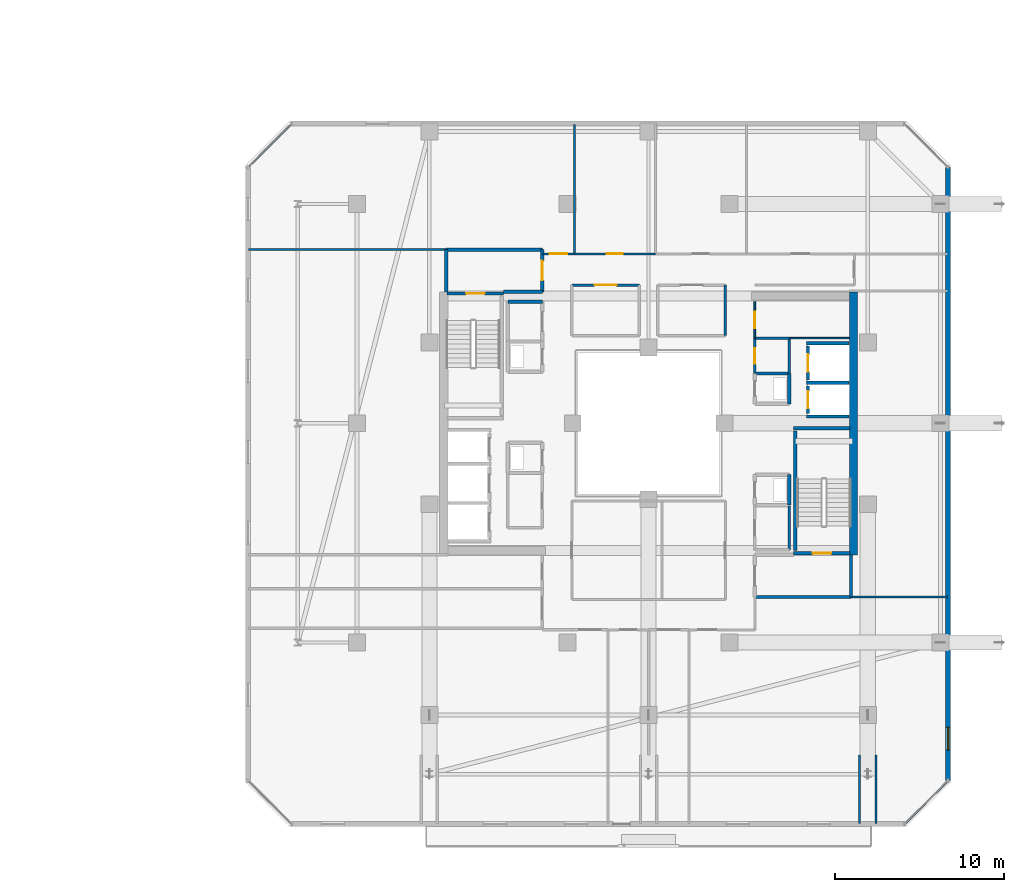
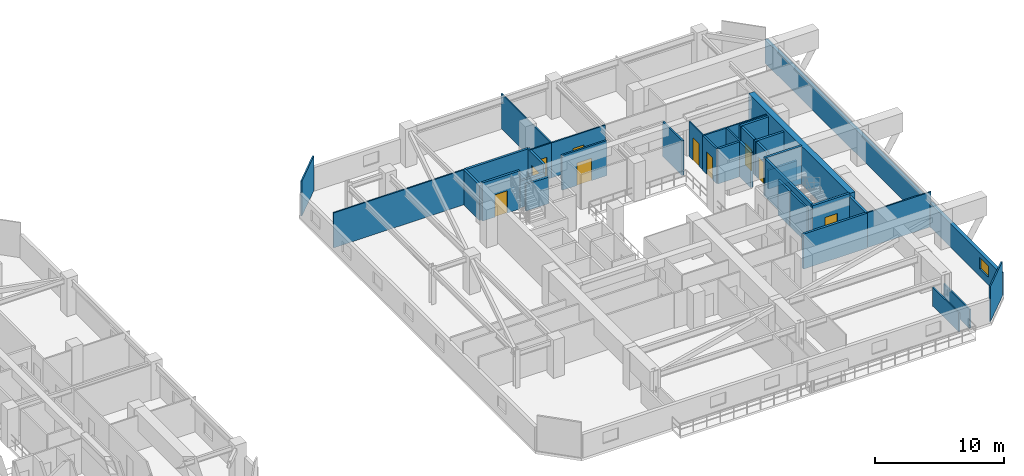
# One storey, part 27 of 35: 38 walls, 10 doors, 1 window, 11 openings.
"""IFC4 building model written with IfcOpenShell, lengths in metres."""

import ifcopenshell
import ifcopenshell.guid

model = None  # the IFC model being written
_history = None  # IfcOwnerHistory: only IFC2X3 demands one
_inside = {}  # id of a spatial element -> (the spatial element, [elements in it])
_under = {}  # id of a project, library or spatial element -> (it, [spatial elements below it])
_declared = {}  # id of a project -> (the project, [libraries it declares])
_typed = {}  # id of a type object -> (the type object, [elements of that type])
_made_of = {}  # id of a material, layer set ... -> (it, [elements and type objects made of it])


def new_model(schema):
    """Start an empty IFC model of exactly this schema.

    Asked for "IFC4X3", IfcOpenShell would pick the latest addendum, in which some entities
    have other attributes; the version numbers below select the first issue.
    IFC2X3 requires an IfcOwnerHistory on every rooted entity: one is made here for all.
    """
    global model, _history
    if schema == "IFC4X3":
        model = ifcopenshell.file(schema_version=(4, 3, 0, 0))
    else:
        model = ifcopenshell.file(schema=schema)
    _inside.clear()
    _under.clear()
    _declared.clear()
    _typed.clear()
    _made_of.clear()
    _history = None
    if model.schema == "IFC2X3":
        org = make("IfcOrganization", Name="unknown")
        user = make(
            "IfcPersonAndOrganization",
            ThePerson=make("IfcPerson", FamilyName="unknown"),
            TheOrganization=org,
        )
        app = make(
            "IfcApplication",
            ApplicationDeveloper=org,
            Version="unknown",
            ApplicationFullName="unknown",
            ApplicationIdentifier="unknown",
        )
        _history = make(
            "IfcOwnerHistory",
            OwningUser=user,
            OwningApplication=app,
            ChangeAction="ADDED",
            CreationDate=0,
        )
    return model


def make(cls, **values):
    """One entity of the class cls with the attributes given. An attribute that is None is left unset."""
    return model.create_entity(
        cls, **{name: value for name, value in values.items() if value is not None}
    )


def rooted(cls, **values):
    """An entity with a GlobalId (a new one), such as an element, a storey or a relation."""
    return make(cls, GlobalId=ifcopenshell.guid.new(), OwnerHistory=_history, **values)


def si_unit(unit_type, name, prefix=None):
    """IfcSIUnit, for example si_unit("LENGTHUNIT", "METRE", prefix="MILLI")."""
    return make("IfcSIUnit", UnitType=unit_type, Prefix=prefix, Name=name)


def assignment(units):
    """IfcUnitAssignment: the units of a project."""
    return None if units is None else make("IfcUnitAssignment", Units=units)


def point(xyz):
    """IfcCartesianPoint."""
    return None if xyz is None else make("IfcCartesianPoint", Coordinates=xyz)


def direction(xyz):
    """IfcDirection."""
    return None if xyz is None else make("IfcDirection", DirectionRatios=xyz)


def frame(location, z_axis=None, x_axis=None):
    """IfcAxis2Placement3D, a coordinate frame: its origin and axes. An axis left out is left unset."""
    return make(
        "IfcAxis2Placement3D",
        Location=point(location),
        Axis=direction(z_axis),
        RefDirection=direction(x_axis),
    )


def frame_2d(location, x_axis=None):
    """IfcAxis2Placement2D, a coordinate frame in the plane: its origin and x axis."""
    return make(
        "IfcAxis2Placement2D", Location=point(location), RefDirection=direction(x_axis)
    )


def origin():
    """The frame at (0, 0, 0) with its axes left unset."""
    return frame((0.0, 0.0, 0.0))


def place(relative_to, where):
    """IfcLocalPlacement: puts the frame where relative to a parent placement (None: the world)."""
    return make(
        "IfcLocalPlacement", PlacementRelTo=relative_to, RelativePlacement=where
    )


def context(
    kind, dimensions, precision=None, world=None, true_north=None, identifier=None
):
    """IfcGeometricRepresentationContext, for example the 3D "Model" context."""
    return make(
        "IfcGeometricRepresentationContext",
        ContextIdentifier=identifier,
        ContextType=kind,
        CoordinateSpaceDimension=dimensions,
        Precision=precision,
        WorldCoordinateSystem=world,
        TrueNorth=true_north,
    )


def subcontext(parent, identifier, kind, view, scale=None):
    """IfcGeometricRepresentationSubContext, for example "Body" below "Model"."""
    return make(
        "IfcGeometricRepresentationSubContext",
        ContextIdentifier=identifier,
        ContextType=kind,
        ParentContext=parent,
        TargetScale=scale,
        TargetView=view,
    )


def project(units=None, contexts=None):
    """IfcProject with its units and contexts."""
    return rooted(
        "IfcProject",
        Name="project",
        RepresentationContexts=contexts,
        UnitsInContext=assignment(units),
    )


def spatial(cls, under=None, at=None, **own):
    """A site, building, storey or space (cls), placed at a placement, below another one or the project."""
    s = rooted(cls, ObjectPlacement=at, **own)
    if under is not None:
        _under.setdefault(under.id(), (under, []))[1].append(s)
    return s


def profile(cls, at=None, kind="AREA", **sizes):
    """A parametric profile (cls). Its sizes go by their IFC names, for example OverallWidth=200.0."""
    return make(cls, ProfileType=kind, Position=at, **sizes)


def rectangle(**sizes):
    """IfcRectangleProfileDef."""
    return profile("IfcRectangleProfileDef", **sizes)


def extrude(swept, where, along, depth):
    """IfcExtrudedAreaSolid: the profile swept, set in the frame where, extruded along a direction by depth."""
    return make(
        "IfcExtrudedAreaSolid",
        SweptArea=swept,
        Position=where,
        ExtrudedDirection=direction(along),
        Depth=depth,
    )


def shape(context_of_items, identifier, shape_type, items):
    """IfcShapeRepresentation: the items that make up one representation, for example the "Body"."""
    return make(
        "IfcShapeRepresentation",
        ContextOfItems=context_of_items,
        RepresentationIdentifier=identifier,
        RepresentationType=shape_type,
        Items=items,
    )


def material(Name=None, Category=None):
    """IfcMaterial."""
    return make("IfcMaterial", Name=Name, Category=Category)


def layer(
    of_material, thickness, ventilated=None, Name=None, Category=None, Priority=None
):
    """IfcMaterialLayer: one layer of a wall or slab, of a material (None: an air gap)."""
    return make(
        "IfcMaterialLayer",
        Material=of_material,
        LayerThickness=thickness,
        IsVentilated=ventilated,
        Name=Name,
        Category=Category,
        Priority=Priority,
    )


def layer_set(layers, Name=None):
    """IfcMaterialLayerSet."""
    return make("IfcMaterialLayerSet", MaterialLayers=layers, LayerSetName=Name)


def made_of(thing, what):
    """Note that an element or type object is made of a material, layer set ...; save() writes the relation."""
    if what is not None:
        _made_of.setdefault(what.id(), (what, []))[1].append(thing)
    return thing


def type_object(cls, material=None, **own):
    """A type object (cls), such as IfcWallType, which elements share."""
    return made_of(rooted(cls, **own), material)


def element(
    cls,
    number,
    at=None,
    inside=None,
    cuts=None,
    type_object=None,
    material=None,
    context=None,
    identifier="Body",
    shape_type=None,
    held_by="IfcProductDefinitionShape",
    body=None,
    shapes=None,
    **own,
):
    """One element of the class cls, such as IfcWall. Its Tag is "e" and its number.

    at: its placement. inside: the storey or other place that contains it. cuts: it is an
    opening in that element (IfcRelVoidsElement). A single representation is given by context,
    identifier, shape_type and body (its items); several are given by shapes. held_by: the class
    of the entity that holds the representations. save() writes the other relations.
    """
    e = rooted(cls, Tag="e%d" % number, ObjectPlacement=at, **own)
    if body is not None:
        shapes = [shape(context, identifier, shape_type, body)]
    if shapes is not None:
        e.Representation = make(held_by, Representations=shapes)
    if inside is not None:
        _inside.setdefault(inside.id(), (inside, []))[1].append(e)
    if cuts is not None:
        rooted(
            "IfcRelVoidsElement", RelatingBuildingElement=cuts, RelatedOpeningElement=e
        )
    if type_object is not None:
        _typed.setdefault(type_object.id(), (type_object, []))[1].append(e)
    return made_of(e, material)


def fill(opening, filler):
    """IfcRelFillsElement: the door or window that sits in an opening."""
    return rooted(
        "IfcRelFillsElement",
        RelatingOpeningElement=opening,
        RelatedBuildingElement=filler,
    )


def aggregate(whole, parts):
    """IfcRelAggregates: a whole, such as a stair, and the parts it consists of."""
    return rooted("IfcRelAggregates", RelatingObject=whole, RelatedObjects=parts)


def save(model, path):
    """Write the relations noted so far, then the file.

    IfcRelAggregates (storeys below a building ...), IfcRelContainedInSpatialStructure (elements
    in a storey), IfcRelDefinesByType, IfcRelAssociatesMaterial and IfcRelDeclares: one each for
    every whole, place, type object, material and project.
    """
    for whole, parts in _under.values():
        aggregate(whole, parts)
    for where, things in _inside.values():
        rooted(
            "IfcRelContainedInSpatialStructure",
            RelatedElements=things,
            RelatingStructure=where,
        )
    for kind, things in _typed.values():
        rooted("IfcRelDefinesByType", RelatedObjects=things, RelatingType=kind)
    for what, things in _made_of.values():
        rooted("IfcRelAssociatesMaterial", RelatedObjects=things, RelatingMaterial=what)
    for by, libraries in _declared.values():
        rooted("IfcRelDeclares", RelatingContext=by, RelatedDefinitions=libraries)
    model.write(path)


model = new_model("IFC4")

# Units and contexts
model_context = context("Model", 3, precision=1e-05, world=origin(), true_north=direction((0.0, 1.0)))
body_context = subcontext(model_context, "Body", "Model", "MODEL_VIEW")
ifc_project = project(units=[si_unit("LENGTHUNIT", "METRE"), si_unit("AREAUNIT", "SQUARE_METRE"), si_unit("VOLUMEUNIT", "CUBIC_METRE"), si_unit("PLANEANGLEUNIT", "RADIAN"), si_unit("MASSUNIT", "GRAM", prefix="KILO")], contexts=[model_context])

# Site, building, storey
site_placement = place(None, origin())
site = spatial("IfcSite", under=ifc_project, at=site_placement, CompositionType="ELEMENT")
building_placement = place(site_placement, origin())
building = spatial("IfcBuilding", under=site, at=building_placement, Name="Thornwick Lancets Civic Towers", CompositionType="ELEMENT")
storey_placement = place(building_placement, frame((0.0, 0.0, 225.89990234375)))
storey = spatial("IfcBuildingStorey", under=building, at=storey_placement, Name="L60", CompositionType="ELEMENT", Elevation=225.89990234375)

# Wall, opening, door
ifc_material_1 = material(Name="Concrete blockwork C40/50", Category="masonry")
ifc_layer_1 = layer(ifc_material_1, 0.199951171875, Name="Concrete blockwork C40/50")
ifc_layer_set_1 = layer_set([ifc_layer_1], Name="Concrete blockwork C40/50")
wall_type_1 = type_object("IfcWallType", Name="WALL_COMP_200", PredefinedType="STANDARD", material=ifc_layer_set_1)
wall_1_placement = place(storey_placement, frame((97.949951171875, 29.219970703125, 0.0), z_axis=(0.0, 0.0, 1.0), x_axis=(0.0, -1.0, 0.0)))
wall_1 = element("IfcWall", 1, at=wall_1_placement, inside=storey, type_object=wall_type_1, Name="L60 Hoistway Front Wall FL-B1", PredefinedType="STANDARD", context=body_context, shape_type="SweptSolid", body=[
    extrude(rectangle(XDim=1.639892578125, YDim=0.199951171875, at=frame_2d((0.81982421875, 0.0))), origin(), (0.0, 0.0, 1.0), 3.300048828125),
])
opening_1_placement = place(wall_1_placement, frame((0.31005859375, 0.0, 0.0)))
opening_1 = element("IfcOpeningElement", 2, at=opening_1_placement, cuts=wall_1, Name="Opening LD-FL-B1", PredefinedType="OPENING", context=body_context, shape_type="SweptSolid", body=[
    extrude(rectangle(XDim=1.02001953125, YDim=2.06005859375, at=frame_2d((0.510009765625, 1.030029296875))), frame((0.0, 0.10986328125, 0.0), z_axis=(0.0, -1.0, 0.0), x_axis=(1.0, 0.0, 0.0)), (0.0, 0.0, 1.0), 0.219970703125),
])
ifc_material_2 = material(Name="Brushed bronze stainless steel", Category="steel")
door_type_1 = type_object("IfcDoorType", Name="DOOR_LIFT_SLIDE", OperationType="SLIDING_TO_LEFT", PredefinedType="DOOR", material=ifc_material_2)
door_1_placement = place(opening_1_placement, origin())
door_1 = element("IfcDoor", 3, at=door_1_placement, inside=storey, type_object=door_type_1, Name="L60 Sliding Lift Landing Door LD-FL-B1", OperationType="SLIDING_TO_LEFT", OverallHeight=2.06005859375, OverallWidth=1.02001953125, PredefinedType="DOOR", context=body_context, shape_type="SweptSolid", body=[
    extrude(rectangle(XDim=1.02001953125, YDim=2.06005859375, at=frame_2d((0.510009765625, 1.030029296875))), frame((0.0, 0.02490234375, 0.0), z_axis=(0.0, -1.0, 0.0), x_axis=(1.0, 0.0, 0.0)), (0.0, 0.0, 1.0), 0.050048828125),
])
fill(opening_1, door_1)

wall_2_placement = place(storey_placement, frame((97.949951171875, 31.570068359375, 0.0), z_axis=(0.0, 0.0, 1.0), x_axis=(0.0, -1.0, 0.0)))
wall_2 = element("IfcWall", 4, at=wall_2_placement, inside=storey, type_object=wall_type_1, Name="L60 Hoistway Front Wall PL-BH1", PredefinedType="STANDARD", context=body_context, shape_type="SweptSolid", body=[
    extrude(rectangle(XDim=1.989990234375, YDim=0.199951171875, at=frame_2d((0.9951171875, 0.0))), origin(), (0.0, 0.0, 1.0), 3.300048828125),
])
opening_2_placement = place(wall_2_placement, frame((0.485107421875, 0.0, 0.0)))
opening_2 = element("IfcOpeningElement", 5, at=opening_2_placement, cuts=wall_2, Name="Opening LD-PL-BH1", PredefinedType="OPENING", context=body_context, shape_type="SweptSolid", body=[
    extrude(rectangle(XDim=1.02001953125, YDim=2.06005859375, at=frame_2d((0.510009765625, 1.030029296875))), frame((0.0, 0.10986328125, 0.0), z_axis=(0.0, -1.0, 0.0), x_axis=(1.0, 0.0, 0.0)), (0.0, 0.0, 1.0), 0.219970703125),
])
door_2_placement = place(opening_2_placement, origin())
door_2 = element("IfcDoor", 6, at=door_2_placement, inside=storey, type_object=door_type_1, Name="L60 Sliding Lift Landing Door LD-PL-BH1", OperationType="SLIDING_TO_LEFT", OverallHeight=2.06005859375, OverallWidth=1.02001953125, PredefinedType="DOOR", context=body_context, shape_type="SweptSolid", body=[
    extrude(rectangle(XDim=1.02001953125, YDim=2.06005859375, at=frame_2d((0.510009765625, 1.030029296875))), frame((0.0, 0.02490234375, 0.0), z_axis=(0.0, -1.0, 0.0), x_axis=(1.0, 0.0, 0.0)), (0.0, 0.0, 1.0), 0.050048828125),
])
fill(opening_2, door_2)

# Walls
wall_3_placement = place(storey_placement, frame((97.85205078125, 29.39990234375, 0.0), z_axis=(0.0, 0.0, 1.0), x_axis=(1.0, 0.0, 0.0)))
element("IfcWall", 7, at=wall_3_placement, inside=storey, type_object=wall_type_1, Name="L60 Hoistway Shaft Wall FL-B1 N", PredefinedType="STANDARD", context=body_context, shape_type="SweptSolid", body=[
    extrude(rectangle(XDim=2.535888671875, YDim=0.199951171875, at=frame_2d((1.26806640625, 0.0))), origin(), (0.0, 0.0, 1.0), 3.300048828125),
])
wall_4_placement = place(storey_placement, frame((97.85205078125, 27.39990234375, 0.0), z_axis=(0.0, 0.0, 1.0), x_axis=(1.0, 0.0, 0.0)))
element("IfcWall", 8, at=wall_4_placement, inside=storey, type_object=wall_type_1, Name="L60 Hoistway Shaft Wall FL-B1 S", PredefinedType="STANDARD", context=body_context, shape_type="SweptSolid", body=[
    extrude(rectangle(XDim=2.535888671875, YDim=0.199951171875, at=frame_2d((1.26806640625, 0.0))), origin(), (0.0, 0.0, 1.0), 1.78515625),
])
wall_5_placement = place(storey_placement, frame((97.85205078125, 31.75, 0.0), z_axis=(0.0, 0.0, 1.0), x_axis=(1.0, 0.0, 0.0)))
element("IfcWall", 9, at=wall_5_placement, inside=storey, type_object=wall_type_1, Name="L60 Hoistway Shaft Wall PL-BH1 N", PredefinedType="STANDARD", context=body_context, shape_type="SweptSolid", body=[
    extrude(rectangle(XDim=2.535888671875, YDim=0.199951171875, at=frame_2d((1.26806640625, 0.0))), origin(), (0.0, 0.0, 1.0), 3.300048828125),
])
wall_6_placement = place(storey_placement, frame((94.800048828125, 16.699951171875, 0.0), z_axis=(0.0, 0.0, 1.0), x_axis=(1.0, 0.0, 0.0)))
element("IfcWall", 10, at=wall_6_placement, inside=storey, type_object=wall_type_1, Name="L60 Partition L60-B-FFLOB1 E1", PredefinedType="STANDARD", context=body_context, shape_type="SweptSolid", body=[
    extrude(rectangle(XDim=5.699951171875, YDim=0.199951171875, at=frame_2d((2.85009765625, 0.0))), origin(), (0.0, 0.0, 1.0), 3.300048828125),
])
wall_7_placement = place(storey_placement, frame((100.5, 16.699951171875, 0.0), z_axis=(0.0, 0.0, 1.0), x_axis=(0.0, 1.0, 0.0)))
element("IfcWall", 11, at=wall_7_placement, inside=storey, type_object=wall_type_1, Name="L60 Partition L60-B-FFLOB1 E2", PredefinedType="STANDARD", context=body_context, shape_type="SweptSolid", body=[
    extrude(rectangle(XDim=2.5, YDim=0.199951171875, at=frame_2d((1.25, 0.0))), origin(), (0.0, 0.0, 1.0), 3.300048828125),
])
wall_8_placement = place(storey_placement, frame((79.89990234375, 34.800048828125, 0.0), z_axis=(0.0, 0.0, 1.0), x_axis=(1.0, 0.0, 0.0)))
element("IfcWall", 12, at=wall_8_placement, inside=storey, type_object=wall_type_1, Name="L60 Partition L60-B-FFLOB2 E1", PredefinedType="STANDARD", context=body_context, shape_type="SweptSolid", body=[
    extrude(rectangle(XDim=2.300048828125, YDim=0.199951171875, at=frame_2d((1.14990234375, 0.0))), origin(), (0.0, 0.0, 1.0), 2.505126953125),
])

# Wall, opening, door
wall_9_placement = place(storey_placement, frame((82.199951171875, 34.800048828125, 0.0), z_axis=(0.0, 0.0, 1.0), x_axis=(0.0, 1.0, 0.0)))
wall_9 = element("IfcWall", 13, at=wall_9_placement, inside=storey, type_object=wall_type_1, Name="L60 Partition L60-B-FFLOB2 E2", PredefinedType="STANDARD", context=body_context, shape_type="SweptSolid", body=[
    extrude(rectangle(XDim=2.5, YDim=0.199951171875, at=frame_2d((1.25, 0.0))), origin(), (0.0, 0.0, 1.0), 3.300048828125),
])
opening_3_placement = place(wall_9_placement, frame((0.675048828125, 0.0, 0.0)))
opening_3 = element("IfcOpeningElement", 14, at=opening_3_placement, cuts=wall_9, Name="Opening D-L60-2693", PredefinedType="OPENING", context=body_context, shape_type="SweptSolid", body=[
    extrude(rectangle(XDim=1.14990234375, YDim=2.10009765625, at=frame_2d((0.574951171875, 1.050048828125))), frame((0.0, 0.10986328125, 0.0), z_axis=(0.0, -1.0, 0.0), x_axis=(1.0, 0.0, 0.0)), (0.0, 0.0, 1.0), 0.219970703125),
])
ifc_material_3 = material(Name="Glazed fire-resisting steel", Category="steel")
door_type_2 = type_object("IfcDoorType", Name="DOOR_LOBBY_FD60", OperationType="NOTDEFINED", PredefinedType="DOOR", material=ifc_material_3)
door_3_placement = place(opening_3_placement, origin())
door_3 = element("IfcDoor", 15, at=door_3_placement, inside=storey, type_object=door_type_2, Name="L60 West Firefighting Lobby 2 Door", OperationType="SINGLE_SWING_RIGHT", OverallHeight=2.10009765625, OverallWidth=1.14990234375, PredefinedType="DOOR", context=body_context, shape_type="SweptSolid", body=[
    extrude(rectangle(XDim=1.14990234375, YDim=2.10009765625, at=frame_2d((0.574951171875, 1.050048828125))), frame((0.0, 0.02490234375, 0.0), z_axis=(0.0, -1.0, 0.0), x_axis=(1.0, 0.0, 0.0)), (0.0, 0.0, 1.0), 0.050048828125),
])
fill(opening_3, door_3)

# Walls
wall_10_placement = place(storey_placement, frame((82.199951171875, 37.300048828125, 0.0), z_axis=(0.0, 0.0, 1.0), x_axis=(-1.0, 0.0, 0.0)))
element("IfcWall", 16, at=wall_10_placement, inside=storey, type_object=wall_type_1, Name="L60 Partition L60-B-FFLOB2 E3", PredefinedType="STANDARD", context=body_context, shape_type="SweptSolid", body=[
    extrude(rectangle(XDim=5.699951171875, YDim=0.199951171875, at=frame_2d((2.85009765625, 0.0))), origin(), (0.0, 0.0, 1.0), 3.300048828125),
])
wall_11_placement = place(storey_placement, frame((76.5, 37.300048828125, 0.0), z_axis=(0.0, 0.0, 1.0), x_axis=(0.0, -1.0, 0.0)))
element("IfcWall", 17, at=wall_11_placement, inside=storey, type_object=wall_type_1, Name="L60 Partition L60-B-FFLOB2 E4", PredefinedType="STANDARD", context=body_context, shape_type="SweptSolid", body=[
    extrude(rectangle(XDim=2.5, YDim=0.199951171875, at=frame_2d((1.25, 0.0))), origin(), (0.0, 0.0, 1.0), 3.300048828125),
])
wall_12_placement = place(storey_placement, frame((96.85009765625, 28.14990234375, 0.0), z_axis=(0.0, 0.0, 1.0), x_axis=(0.0, 1.0, 0.0)))
element("IfcWall", 18, at=wall_12_placement, inside=storey, type_object=wall_type_1, Name="L60 Partition L60-B-DUCT1 E2", PredefinedType="STANDARD", context=body_context, shape_type="SweptSolid", body=[
    extrude(rectangle(XDim=1.800048828125, YDim=0.199951171875, at=frame_2d((0.89990234375, 0.0))), origin(), (0.0, 0.0, 1.0), 3.300048828125),
])
wall_13_placement = place(storey_placement, frame((96.85009765625, 29.949951171875, 0.0), z_axis=(0.0, 0.0, 1.0), x_axis=(-1.0, 0.0, 0.0)))
element("IfcWall", 19, at=wall_13_placement, inside=storey, type_object=wall_type_1, Name="L60 Partition L60-B-DUCT1 E3", PredefinedType="STANDARD", context=body_context, shape_type="SweptSolid", body=[
    extrude(rectangle(XDim=2.050048828125, YDim=0.199951171875, at=frame_2d((1.02490234375, 0.0))), origin(), (0.0, 0.0, 1.0), 3.300048828125),
])
wall_14_placement = place(storey_placement, frame((96.85009765625, 22.14990234375, 0.0), z_axis=(0.0, 0.0, 1.0), x_axis=(0.0, 1.0, 0.0)))
element("IfcWall", 20, at=wall_14_placement, inside=storey, type_object=wall_type_1, Name="L60 Partition L60-B-RISER1 E2", PredefinedType="STANDARD", context=body_context, shape_type="SweptSolid", body=[
    extrude(rectangle(XDim=1.800048828125, YDim=0.199951171875, at=frame_2d((0.89990234375, 0.0))), origin(), (0.0, 0.0, 1.0), 3.300048828125),
])
wall_15_placement = place(storey_placement, frame((80.14990234375, 34.199951171875, 0.0), z_axis=(0.0, 0.0, 1.0), x_axis=(1.0, 0.0, 0.0)))
element("IfcWall", 21, at=wall_15_placement, inside=storey, type_object=wall_type_1, Name="L60 Partition L60-B-STR E2", PredefinedType="STANDARD", context=body_context, shape_type="SweptSolid", body=[
    extrude(rectangle(XDim=2.050048828125, YDim=0.199951171875, at=frame_2d((1.02490234375, 0.0))), origin(), (0.0, 0.0, 1.0), 2.505126953125),
])
ifc_material_4 = material(Name="Concrete C50/60", Category="concrete")
ifc_layer_2 = layer(ifc_material_4, 0.5, Name="Concrete C50/60")
ifc_layer_set_2 = layer_set([ifc_layer_2], Name="Concrete C50/60")
wall_type_2 = type_object("IfcWallType", Name="WALL_CORE_500", PredefinedType="SHEAR", material=ifc_layer_set_2)
wall_16_placement = place(storey_placement, frame((100.64990234375, 19.199951171875, 0.0), z_axis=(0.0, 0.0, 1.0), x_axis=(0.0, 1.0, 0.0)))
element("IfcWall", 22, at=wall_16_placement, inside=storey, type_object=wall_type_2, Name="L60 Split Core B1 Shear Wall E", PredefinedType="SHEAR", context=body_context, shape_type="SweptSolid", body=[
    extrude(rectangle(XDim=15.60009765625, YDim=0.5, at=frame_2d((7.800048828125, 0.0))), origin(), (0.0, 0.0, 1.0), 3.60009765625),
])

# Wall, opening, window
ifc_material_5 = material(Name="Insulated russet terracotta rainscreen on concrete C40/50", Category="masonry")
ifc_layer_3 = layer(ifc_material_5, 0.300048828125, Name="Insulated russet terracotta rainscreen on concrete C40/50")
ifc_layer_set_3 = layer_set([ifc_layer_3], Name="Insulated russet terracotta rainscreen on concrete C40/50")
wall_type_3 = type_object("IfcWallType", Name="WALL_EXT_RUSSET_300", PredefinedType="STANDARD", material=ifc_layer_set_3)
wall_17_placement = place(storey_placement, frame((106.2646484375, 5.818603515625, 0.0), z_axis=(0.0, 0.0, 1.0), x_axis=(0.0, 1.0, 0.0)))
wall_17 = element("IfcWall", 23, at=wall_17_placement, inside=storey, type_object=wall_type_3, Name="L60 Tower B Terracotta Facade Wall E2", PredefinedType="STANDARD", context=body_context, shape_type="SweptSolid", body=[
    extrude(rectangle(XDim=36.36279296875, YDim=0.300048828125, at=frame_2d((18.181396484375, 0.0))), origin(), (0.0, 0.0, 1.0), 2.22021484375),
])
opening_4_placement = place(wall_17_placement, frame((1.800048828125, 0.0, 0.719970703125)))
opening_4 = element("IfcOpeningElement", 24, at=opening_4_placement, cuts=wall_17, Name="Opening WL-03", PredefinedType="OPENING", context=body_context, shape_type="SweptSolid", body=[
    extrude(rectangle(XDim=1.35009765625, YDim=1.050048828125, at=frame_2d((0.675048828125, 0.52490234375))), frame((0.0, 0.16015625, 0.0), z_axis=(0.0, -1.0, 0.0), x_axis=(1.0, 0.0, 0.0)), (0.0, 0.0, 1.0), 0.320068359375),
])
ifc_material_6 = material(Name="Clear low-e double glazing clerestory lancet", Category="glass")
window_type = type_object("IfcWindowType", Name="WIN_LANCET_1350", PartitioningType="SINGLE_PANEL", PredefinedType="WINDOW", material=ifc_material_6)
window_placement = place(opening_4_placement, origin())
window = element("IfcWindow", 25, at=window_placement, inside=storey, type_object=window_type, Name="L60 Tower B Staggered Lancet Window E2-1", OverallHeight=1.050048828125, OverallWidth=1.35009765625, PartitioningType="SINGLE_PANEL", PredefinedType="WINDOW", context=body_context, shape_type="SweptSolid", body=[
    extrude(rectangle(XDim=1.35009765625, YDim=1.050048828125, at=frame_2d((0.675048828125, 0.52490234375))), frame((0.0, 0.030029296875, 0.0), z_axis=(0.0, -1.0, 0.0), x_axis=(1.0, 0.0, 0.0)), (0.0, 0.0, 1.0), 0.06005859375),
])
fill(opening_4, window)

# Wall, opening, door
ifc_material_7 = material(Name="Lightweight cellular office partition")
ifc_layer_4 = layer(ifc_material_7, 0.10009765625, Name="Lightweight cellular office partition")
ifc_layer_set_4 = layer_set([ifc_layer_4], Name="Lightweight cellular office partition")
wall_type_4 = type_object("IfcWallType", Name="WALL_PART_100", PredefinedType="PARTITIONING", material=ifc_layer_set_4)
wall_18_placement = place(storey_placement, frame((94.800048828125, 32.050048828125, 0.0), z_axis=(0.0, 0.0, 1.0), x_axis=(0.0, 1.0, 0.0)))
wall_18 = element("IfcWall", 26, at=wall_18_placement, inside=storey, type_object=wall_type_4, Name="L60 Partition L60-B-CLN E1", PredefinedType="PARTITIONING", context=body_context, shape_type="SweptSolid", body=[
    extrude(rectangle(XDim=2.14990234375, YDim=0.10009765625, at=frame_2d((1.074951171875, 0.0))), origin(), (0.0, 0.0, 1.0), 3.300048828125),
])
opening_5_placement = place(wall_18_placement, frame((0.60009765625, 0.0, 0.0)))
opening_5 = element("IfcOpeningElement", 27, at=opening_5_placement, cuts=wall_18, Name="Opening D-L60-2700", PredefinedType="OPENING", context=body_context, shape_type="SweptSolid", body=[
    extrude(rectangle(XDim=0.949951171875, YDim=2.10009765625, at=frame_2d((0.47509765625, 1.050048828125))), frame((0.0, 0.06005859375, 0.0), z_axis=(0.0, -1.0, 0.0), x_axis=(1.0, 0.0, 0.0)), (0.0, 0.0, 1.0), 0.1201171875),
])
ifc_material_8 = material(Name="European oak acoustic doorset")
door_type_3 = type_object("IfcDoorType", Name="DOOR_OFFICE_950", OperationType="NOTDEFINED", PredefinedType="DOOR", material=ifc_material_8)
door_4_placement = place(opening_5_placement, origin())
door_4 = element("IfcDoor", 28, at=door_4_placement, inside=storey, type_object=door_type_3, Name="L60 Tower B Cleaners Store Door", OperationType="SINGLE_SWING_LEFT", OverallHeight=2.10009765625, OverallWidth=0.949951171875, PredefinedType="DOOR", context=body_context, shape_type="SweptSolid", body=[
    extrude(rectangle(XDim=0.949951171875, YDim=2.10009765625, at=frame_2d((0.47509765625, 1.050048828125))), frame((0.0, 0.02490234375, 0.0), z_axis=(0.0, -1.0, 0.0), x_axis=(1.0, 0.0, 0.0)), (0.0, 0.0, 1.0), 0.050048828125),
])
fill(opening_5, door_4)

# Walls
wall_19_placement = place(storey_placement, frame((100.39990234375, 32.050048828125, 0.0), z_axis=(0.0, 0.0, 1.0), x_axis=(-1.0, 0.0, 0.0)))
element("IfcWall", 29, at=wall_19_placement, inside=storey, type_object=wall_type_4, Name="L60 Partition L60-B-CLN E4", PredefinedType="PARTITIONING", context=body_context, shape_type="SweptSolid", body=[
    extrude(rectangle(XDim=3.5498046875, YDim=0.10009765625, at=frame_2d((1.77490234375, 0.0))), origin(), (0.0, 0.0, 1.0), 3.300048828125),
])
ifc_material_9 = material(Name="Acoustic gypsum board partition")
ifc_layer_5 = layer(ifc_material_9, 0.1201171875, Name="Acoustic gypsum board partition")
ifc_layer_set_5 = layer_set([ifc_layer_5], Name="Acoustic gypsum board partition")
wall_type_5 = type_object("IfcWallType", Name="WALL_PART_120", PredefinedType="PARTITIONING", material=ifc_layer_set_5)
for number, where, z_axis, x_axis, name in (
    (30, (101.97998046875, 3.280029296875, 0.0), (0.0, 0.0, 1.0), (0.0, 1.0, 0.0), "L60 Partition L60-B-W1 E2"),
    (31, (101.02001953125, 7.32861328125, 0.0), (0.0, 0.0, 1.0), (0.0, -1.0, 0.0), "L60 Partition L60-B-W1 E4"),
):
    element("IfcWall", number, at=place(storey_placement, frame(where, z_axis=z_axis, x_axis=x_axis)), inside=storey, type_object=wall_type_5, Name=name, PredefinedType="PARTITIONING", context=body_context, shape_type="SweptSolid", body=[
        extrude(rectangle(XDim=4.048583984375, YDim=0.1201171875, at=frame_2d((2.0244140625, 0.0))), origin(), (0.0, 0.0, 1.0), 1.78515625),
    ])
wall_20_placement = place(storey_placement, frame((100.5, 16.699951171875, 0.0), z_axis=(0.0, 0.0, 1.0), x_axis=(1.0, 0.0, 0.0)))
element("IfcWall", 32, at=wall_20_placement, inside=storey, type_object=wall_type_5, Name="L60 Partition L60-B-W1 E11", PredefinedType="PARTITIONING", context=body_context, shape_type="SweptSolid", body=[
    extrude(rectangle(XDim=5.719970703125, YDim=0.1201171875, at=frame_2d((2.85986328125, 0.0))), origin(), (0.0, 0.0, 1.0), 3.300048828125),
])
wall_21_placement = place(storey_placement, frame((106.219970703125, 5.774658203125, 0.0), z_axis=(0.0, 0.0, 1.0), x_axis=(-0.707106781187, -0.707106781187, 0.0)))
element("IfcWall", 33, at=wall_21_placement, inside=storey, type_object=wall_type_5, Name="L60 Partition L60-B-W1 E13", PredefinedType="PARTITIONING", context=body_context, shape_type="SweptSolid", body=[
    extrude(rectangle(XDim=3.52783203125, YDim=0.1201171875, at=frame_2d((1.763916015625, 0.0))), origin(), (0.0, 0.0, 1.0), 3.300048828125),
])
wall_22_placement = place(storey_placement, frame((84.10009765625, 37.050048828125, 0.0), z_axis=(0.0, 0.0, 1.0), x_axis=(0.0, 1.0, 0.0)))
element("IfcWall", 34, at=wall_22_placement, inside=storey, type_object=wall_type_5, Name="L60 Partition L60-B-E3 E1", PredefinedType="PARTITIONING", context=body_context, shape_type="SweptSolid", body=[
    extrude(rectangle(XDim=7.669921875, YDim=0.1201171875, at=frame_2d((3.8349609375, 0.0))), origin(), (0.0, 0.0, 1.0), 3.300048828125),
])

# Wall, opening, door
wall_23_placement = place(storey_placement, frame((88.89990234375, 37.050048828125, 0.0), z_axis=(0.0, 0.0, 1.0), x_axis=(-1.0, 0.0, 0.0)))
wall_23 = element("IfcWall", 35, at=wall_23_placement, inside=storey, type_object=wall_type_5, Name="L60 Partition L60-B-E3 E4", PredefinedType="PARTITIONING", context=body_context, shape_type="SweptSolid", body=[
    extrude(rectangle(XDim=4.7998046875, YDim=0.1201171875, at=frame_2d((2.39990234375, 0.0))), origin(), (0.0, 0.0, 1.0), 3.300048828125),
])
opening_6_placement = place(wall_23_placement, frame((1.925048828125, 0.0, 0.0)))
opening_6 = element("IfcOpeningElement", 36, at=opening_6_placement, cuts=wall_23, Name="Opening D-L60-2729", PredefinedType="OPENING", context=body_context, shape_type="SweptSolid", body=[
    extrude(rectangle(XDim=0.949951171875, YDim=2.10009765625, at=frame_2d((0.47509765625, 1.050048828125))), frame((0.0, 0.070068359375, 0.0), z_axis=(0.0, -1.0, 0.0), x_axis=(1.0, 0.0, 0.0)), (0.0, 0.0, 1.0), 0.14013671875),
])
door_5_placement = place(opening_6_placement, origin())
door_5 = element("IfcDoor", 37, at=door_5_placement, inside=storey, type_object=door_type_3, Name="L60 Tower B Civic Seminar Room Door", OperationType="SINGLE_SWING_RIGHT", OverallHeight=2.10009765625, OverallWidth=0.949951171875, PredefinedType="DOOR", context=body_context, shape_type="SweptSolid", body=[
    extrude(rectangle(XDim=0.949951171875, YDim=2.10009765625, at=frame_2d((0.47509765625, 1.050048828125))), frame((0.0, 0.02490234375, 0.0), z_axis=(0.0, -1.0, 0.0), x_axis=(1.0, 0.0, 0.0)), (0.0, 0.0, 1.0), 0.050048828125),
])
fill(opening_6, door_5)

# Walls
wall_24_placement = place(storey_placement, frame((76.5, 37.300048828125, 0.0), z_axis=(0.0, 0.0, 1.0), x_axis=(-1.0, 0.0, 0.0)))
element("IfcWall", 38, at=wall_24_placement, inside=storey, type_object=wall_type_5, Name="L60 Partition L60-B-E4 E3", PredefinedType="PARTITIONING", context=body_context, shape_type="SweptSolid", body=[
    extrude(rectangle(XDim=11.719970703125, YDim=0.1201171875, at=frame_2d((5.85986328125, 0.0))), origin(), (0.0, 0.0, 1.0), 3.300048828125),
])
wall_25_placement = place(storey_placement, frame((64.780029296875, 42.225341796875, 0.0), z_axis=(0.0, 0.0, 1.0), x_axis=(0.707106781187, 0.707106781187, 0.0)))
element("IfcWall", 39, at=wall_25_placement, inside=storey, type_object=wall_type_5, Name="L60 Partition L60-B-E4 E5", PredefinedType="PARTITIONING", context=body_context, shape_type="SweptSolid", body=[
    extrude(rectangle(XDim=3.52783203125, YDim=0.1201171875, at=frame_2d((1.763916015625, 0.0))), origin(), (0.0, 0.0, 1.0), 3.300048828125),
])

# Wall, opening, door
wall_26_placement = place(storey_placement, frame((84.10009765625, 37.050048828125, 0.0), z_axis=(0.0, 0.0, 1.0), x_axis=(-1.0, 0.0, 0.0)))
wall_26 = element("IfcWall", 40, at=wall_26_placement, inside=storey, type_object=wall_type_5, Name="L60 Partition L60-B-E4 E8", PredefinedType="PARTITIONING", context=body_context, shape_type="SweptSolid", body=[
    extrude(rectangle(XDim=1.900146484375, YDim=0.1201171875, at=frame_2d((0.9501953125, 0.0))), origin(), (0.0, 0.0, 1.0), 3.300048828125),
])
opening_7_placement = place(wall_26_placement, frame((0.425048828125, 0.0, 0.0)))
opening_7 = element("IfcOpeningElement", 41, at=opening_7_placement, cuts=wall_26, Name="Opening D-L60-2730", PredefinedType="OPENING", context=body_context, shape_type="SweptSolid", body=[
    extrude(rectangle(XDim=1.050048828125, YDim=2.10009765625, at=frame_2d((0.52490234375, 1.050048828125))), frame((0.0, 0.070068359375, 0.0), z_axis=(0.0, -1.0, 0.0), x_axis=(1.0, 0.0, 0.0)), (0.0, 0.0, 1.0), 0.14013671875),
])
ifc_material_10 = material(Name="Glazed European oak executive doorset")
door_type_4 = type_object("IfcDoorType", Name="DOOR_OFFICE_1050", OperationType="NOTDEFINED", PredefinedType="DOOR", material=ifc_material_10)
door_6_placement = place(opening_7_placement, origin())
door_6 = element("IfcDoor", 42, at=door_6_placement, inside=storey, type_object=door_type_4, Name="L60 Tower B Legislative Drafting Suite E4 Door", OperationType="SINGLE_SWING_LEFT", OverallHeight=2.10009765625, OverallWidth=1.050048828125, PredefinedType="DOOR", context=body_context, shape_type="SweptSolid", body=[
    extrude(rectangle(XDim=1.050048828125, YDim=2.10009765625, at=frame_2d((0.52490234375, 1.050048828125))), frame((0.0, 0.02490234375, 0.0), z_axis=(0.0, -1.0, 0.0), x_axis=(1.0, 0.0, 0.0)), (0.0, 0.0, 1.0), 0.050048828125),
])
fill(opening_7, door_6)

# Wall
ifc_material_11 = material(Name="Twin-stud acoustic gypsum board")
ifc_layer_6 = layer(ifc_material_11, 0.14990234375, Name="Twin-stud acoustic gypsum board")
ifc_layer_set_6 = layer_set([ifc_layer_6], Name="Twin-stud acoustic gypsum board")
wall_type_6 = type_object("IfcWallType", Name="WALL_PART_150", PredefinedType="PARTITIONING", material=ifc_layer_set_6)
wall_27_placement = place(storey_placement, frame((96.85009765625, 19.5, 0.0), z_axis=(0.0, 0.0, 1.0), x_axis=(0.0, 1.0, 0.0)))
element("IfcWall", 43, at=wall_27_placement, inside=storey, type_object=wall_type_6, Name="L60 Partition L60-B-AWC E2", PredefinedType="PARTITIONING", context=body_context, shape_type="SweptSolid", body=[
    extrude(rectangle(XDim=2.60009765625, YDim=0.14990234375, at=frame_2d((1.300048828125, 0.0))), origin(), (0.0, 0.0, 1.0), 3.300048828125),
])

# Wall, opening, door
wall_28_placement = place(storey_placement, frame((94.800048828125, 29.949951171875, 0.0), z_axis=(0.0, 0.0, 1.0), x_axis=(0.0, 1.0, 0.0)))
wall_28 = element("IfcWall", 44, at=wall_28_placement, inside=storey, type_object=wall_type_6, Name="L60 Partition L60-B-MWC E1", PredefinedType="PARTITIONING", context=body_context, shape_type="SweptSolid", body=[
    extrude(rectangle(XDim=2.10009765625, YDim=0.14990234375, at=frame_2d((1.050048828125, 0.0))), origin(), (0.0, 0.0, 1.0), 3.300048828125),
])
opening_8_placement = place(wall_28_placement, frame((0.590087890625, 0.0, 0.0)))
opening_8 = element("IfcOpeningElement", 45, at=opening_8_placement, cuts=wall_28, Name="Opening D-L60-2699", PredefinedType="OPENING", context=body_context, shape_type="SweptSolid", body=[
    extrude(rectangle(XDim=0.919921875, YDim=2.080078125, at=frame_2d((0.4599609375, 1.0400390625))), frame((0.0, 0.0849609375, 0.0), z_axis=(0.0, -1.0, 0.0), x_axis=(1.0, 0.0, 0.0)), (0.0, 0.0, 1.0), 0.169921875),
])
ifc_material_12 = material(Name="Moisture-resistant oak doorset")
door_type_5 = type_object("IfcDoorType", Name="DOOR_WC_900", OperationType="NOTDEFINED", PredefinedType="DOOR", material=ifc_material_12)
door_7_placement = place(opening_8_placement, origin())
door_7 = element("IfcDoor", 46, at=door_7_placement, inside=storey, type_object=door_type_5, Name="L60 Tower B Male WC Door", OperationType="SINGLE_SWING_RIGHT", OverallHeight=2.080078125, OverallWidth=0.919921875, PredefinedType="DOOR", context=body_context, shape_type="SweptSolid", body=[
    extrude(rectangle(XDim=0.919921875, YDim=2.080078125, at=frame_2d((0.4599609375, 1.0400390625))), frame((0.0, 0.02490234375, 0.0), z_axis=(0.0, -1.0, 0.0), x_axis=(1.0, 0.0, 0.0)), (0.0, 0.0, 1.0), 0.050048828125),
])
fill(opening_8, door_7)

# Walls
wall_29_placement = place(storey_placement, frame((94.800048828125, 32.050048828125, 0.0), z_axis=(0.0, 0.0, 1.0), x_axis=(1.0, 0.0, 0.0)))
element("IfcWall", 47, at=wall_29_placement, inside=storey, type_object=wall_type_6, Name="L60 Partition L60-B-MWC E2", PredefinedType="PARTITIONING", context=body_context, shape_type="SweptSolid", body=[
    extrude(rectangle(XDim=2.050048828125, YDim=0.14990234375, at=frame_2d((1.02490234375, 0.0))), origin(), (0.0, 0.0, 1.0), 3.300048828125),
])
wall_30_placement = place(storey_placement, frame((96.85009765625, 32.050048828125, 0.0), z_axis=(0.0, 0.0, 1.0), x_axis=(0.0, -1.0, 0.0)))
element("IfcWall", 48, at=wall_30_placement, inside=storey, type_object=wall_type_6, Name="L60 Partition L60-B-MWC E3", PredefinedType="PARTITIONING", context=body_context, shape_type="SweptSolid", body=[
    extrude(rectangle(XDim=2.10009765625, YDim=0.14990234375, at=frame_2d((1.050048828125, 0.0))), origin(), (0.0, 0.0, 1.0), 3.300048828125),
])
wall_31_placement = place(storey_placement, frame((93.050048828125, 35.199951171875, 0.0), z_axis=(0.0, 0.0, 1.0), x_axis=(0.0, -1.0, 0.0)))
element("IfcWall", 49, at=wall_31_placement, inside=storey, type_object=wall_type_6, Name="L60 Partition L60-B-E-ATR-1 E3", PredefinedType="PARTITIONING", context=body_context, shape_type="SweptSolid", body=[
    extrude(rectangle(XDim=3.0, YDim=0.14990234375, at=frame_2d((1.5, 0.0))), origin(), (0.0, 0.0, 1.0), 3.300048828125),
])

# Wall, opening, door
wall_32_placement = place(storey_placement, frame((83.949951171875, 35.199951171875, 0.0), z_axis=(0.0, 0.0, 1.0), x_axis=(1.0, 0.0, 0.0)))
wall_32 = element("IfcWall", 50, at=wall_32_placement, inside=storey, type_object=wall_type_6, Name="L60 Partition L60-B-E-ATR-2 E3", PredefinedType="PARTITIONING", context=body_context, shape_type="SweptSolid", body=[
    extrude(rectangle(XDim=4.0, YDim=0.14990234375, at=frame_2d((2.0, 0.0))), origin(), (0.0, 0.0, 1.0), 3.300048828125),
])
opening_9_placement = place(wall_32_placement, frame((1.35009765625, 0.0, 0.0)))
opening_9 = element("IfcOpeningElement", 51, at=opening_9_placement, cuts=wall_32, Name="Opening D-L60-2732", PredefinedType="OPENING", context=body_context, shape_type="SweptSolid", body=[
    extrude(rectangle(XDim=1.300048828125, YDim=2.1201171875, at=frame_2d((0.64990234375, 1.06005859375))), frame((0.0, 0.0849609375, 0.0), z_axis=(0.0, -1.0, 0.0), x_axis=(1.0, 0.0, 0.0)), (0.0, 0.0, 1.0), 0.169921875),
])
ifc_material_13 = material(Name="Acoustic oak leaf-and-a-half doorset")
door_type_6 = type_object("IfcDoorType", Name="DOOR_MEET_1300", OperationType="DOUBLE_DOOR_SINGLE_SWING", PredefinedType="DOOR", material=ifc_material_13)
door_8_placement = place(opening_9_placement, origin())
door_8 = element("IfcDoor", 52, at=door_8_placement, inside=storey, type_object=door_type_6, Name="L60 Tower B Atrium Consultation Chamber Door", OperationType="DOUBLE_DOOR_SINGLE_SWING", OverallHeight=2.1201171875, OverallWidth=1.300048828125, PredefinedType="DOOR", context=body_context, shape_type="SweptSolid", body=[
    extrude(rectangle(XDim=1.300048828125, YDim=2.1201171875, at=frame_2d((0.64990234375, 1.06005859375))), frame((0.0, 0.02490234375, 0.0), z_axis=(0.0, -1.0, 0.0), x_axis=(1.0, 0.0, 0.0)), (0.0, 0.0, 1.0), 0.050048828125),
])
fill(opening_9, door_8)

ifc_material_14 = material(Name="Concrete C40/50", Category="concrete")
ifc_layer_7 = layer(ifc_material_14, 0.199951171875, Name="Concrete C40/50")
ifc_layer_set_7 = layer_set([ifc_layer_7], Name="Concrete C40/50")
wall_type_7 = type_object("IfcWallType", Name="WALL_SHAFT_200", PredefinedType="SHEAR", material=ifc_layer_set_7)
wall_33_placement = place(storey_placement, frame((100.449951171875, 19.300048828125, 0.0), z_axis=(0.0, 0.0, 1.0), x_axis=(-1.0, 0.0, 0.0)))
wall_33 = element("IfcWall", 53, at=wall_33_placement, inside=storey, type_object=wall_type_7, Name="L60 ST-B1 Fire Stair Core Wall NEAR", PredefinedType="SHEAR", context=body_context, shape_type="SweptSolid", body=[
    extrude(rectangle(XDim=3.349853515625, YDim=0.199951171875, at=frame_2d((1.6748046875, 0.0))), origin(), (0.0, 0.0, 1.0), 3.60009765625),
])
opening_10_placement = place(wall_33_placement, frame((1.125, 0.0, 0.0)))
opening_10 = element("IfcOpeningElement", 54, at=opening_10_placement, cuts=wall_33, Name="Opening D-ST-B1-L60", PredefinedType="OPENING", context=body_context, shape_type="SweptSolid", body=[
    extrude(rectangle(XDim=1.10009765625, YDim=2.10009765625, at=frame_2d((0.550048828125, 1.050048828125))), frame((0.0, 0.10986328125, 0.0), z_axis=(0.0, -1.0, 0.0), x_axis=(1.0, 0.0, 0.0)), (0.0, 0.0, 1.0), 0.219970703125),
])
ifc_material_15 = material(Name="Fire-resisting steel and hardwood", Category="steel")
door_type_7 = type_object("IfcDoorType", Name="DOOR_STAIR_FD60", OperationType="NOTDEFINED", PredefinedType="DOOR", material=ifc_material_15)
door_9_placement = place(opening_10_placement, origin())
door_9 = element("IfcDoor", 55, at=door_9_placement, inside=storey, type_object=door_type_7, Name="L60 ST-B1 Exit Stair Door", OperationType="SINGLE_SWING_RIGHT", OverallHeight=2.10009765625, OverallWidth=1.10009765625, PredefinedType="DOOR", context=body_context, shape_type="SweptSolid", body=[
    extrude(rectangle(XDim=1.10009765625, YDim=2.10009765625, at=frame_2d((0.550048828125, 1.050048828125))), frame((0.0, 0.02490234375, 0.0), z_axis=(0.0, -1.0, 0.0), x_axis=(1.0, 0.0, 0.0)), (0.0, 0.0, 1.0), 0.050048828125),
])
fill(opening_10, door_9)

# Walls
wall_34_placement = place(storey_placement, frame((97.10009765625, 26.699951171875, 0.0), z_axis=(0.0, 0.0, 1.0), x_axis=(1.0, 0.0, 0.0)))
element("IfcWall", 56, at=wall_34_placement, inside=storey, type_object=wall_type_7, Name="L60 ST-B1 Fire Stair Core Wall FAR", PredefinedType="SHEAR", context=body_context, shape_type="SweptSolid", body=[
    extrude(rectangle(XDim=3.349853515625, YDim=0.199951171875, at=frame_2d((1.6748046875, 0.0))), origin(), (0.0, 0.0, 1.0), 3.60009765625),
])
wall_35_placement = place(storey_placement, frame((97.202880859375, 26.550048828125, 0.0), z_axis=(0.0, 0.0, 1.0), x_axis=(0.0, -1.0, 0.0)))
element("IfcWall", 57, at=wall_35_placement, inside=storey, type_object=wall_type_7, Name="L60 ST-B1 Fire Stair Core Wall RIGHT", PredefinedType="SHEAR", context=body_context, shape_type="SweptSolid", body=[
    extrude(rectangle(XDim=7.10009765625, YDim=0.199951171875, at=frame_2d((3.550048828125, 0.0))), origin(), (0.0, 0.0, 1.0), 3.60009765625),
])

# Wall, opening, door
wall_36_placement = place(storey_placement, frame((76.550048828125, 34.699951171875, 0.0), z_axis=(0.0, 0.0, 1.0), x_axis=(1.0, 0.0, 0.0)))
wall_36 = element("IfcWall", 58, at=wall_36_placement, inside=storey, type_object=wall_type_7, Name="L60 ST-B2 Fire Stair Core Wall NEAR", PredefinedType="SHEAR", context=body_context, shape_type="SweptSolid", body=[
    extrude(rectangle(XDim=3.349853515625, YDim=0.199951171875, at=frame_2d((1.6748046875, 0.0))), origin(), (0.0, 0.0, 1.0), 3.60009765625),
])
opening_11_placement = place(wall_36_placement, frame((1.125, 0.0, 0.0)))
opening_11 = element("IfcOpeningElement", 59, at=opening_11_placement, cuts=wall_36, Name="Opening D-ST-B2-L60", PredefinedType="OPENING", context=body_context, shape_type="SweptSolid", body=[
    extrude(rectangle(XDim=1.10009765625, YDim=2.10009765625, at=frame_2d((0.550048828125, 1.050048828125))), frame((0.0, 0.10986328125, 0.0), z_axis=(0.0, -1.0, 0.0), x_axis=(1.0, 0.0, 0.0)), (0.0, 0.0, 1.0), 0.219970703125),
])
door_10_placement = place(opening_11_placement, origin())
door_10 = element("IfcDoor", 60, at=door_10_placement, inside=storey, type_object=door_type_7, Name="L60 ST-B2 Exit Stair Door", OperationType="SINGLE_SWING_LEFT", OverallHeight=2.10009765625, OverallWidth=1.10009765625, PredefinedType="DOOR", context=body_context, shape_type="SweptSolid", body=[
    extrude(rectangle(XDim=1.10009765625, YDim=2.10009765625, at=frame_2d((0.550048828125, 1.050048828125))), frame((0.0, 0.02490234375, 0.0), z_axis=(0.0, -1.0, 0.0), x_axis=(1.0, 0.0, 0.0)), (0.0, 0.0, 1.0), 0.050048828125),
])
fill(opening_11, door_10)

save(model, "model.ifc")
